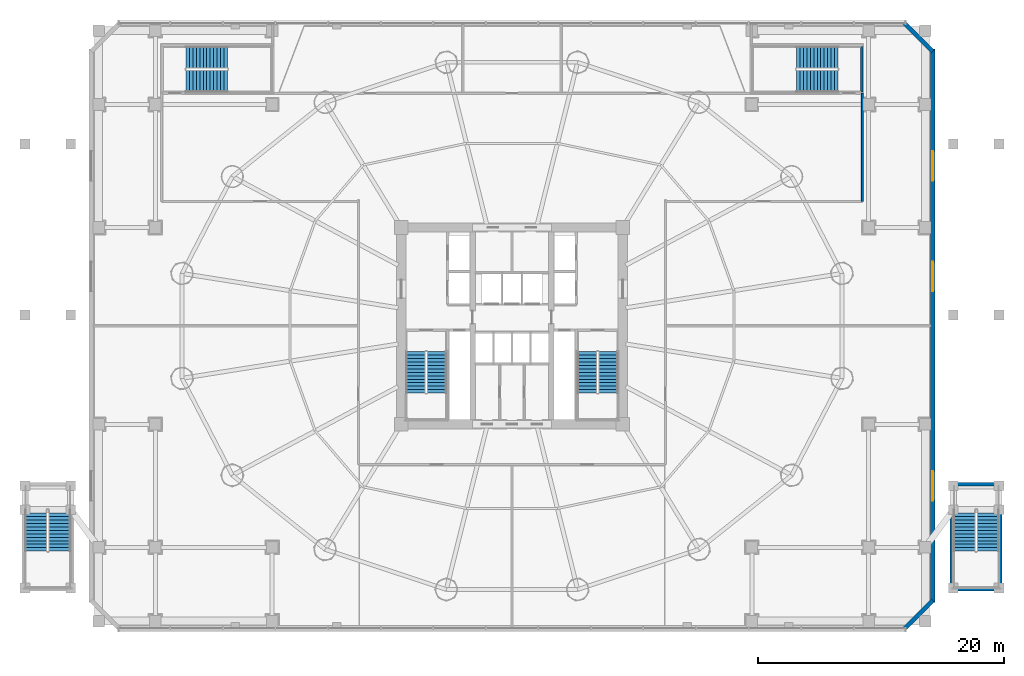
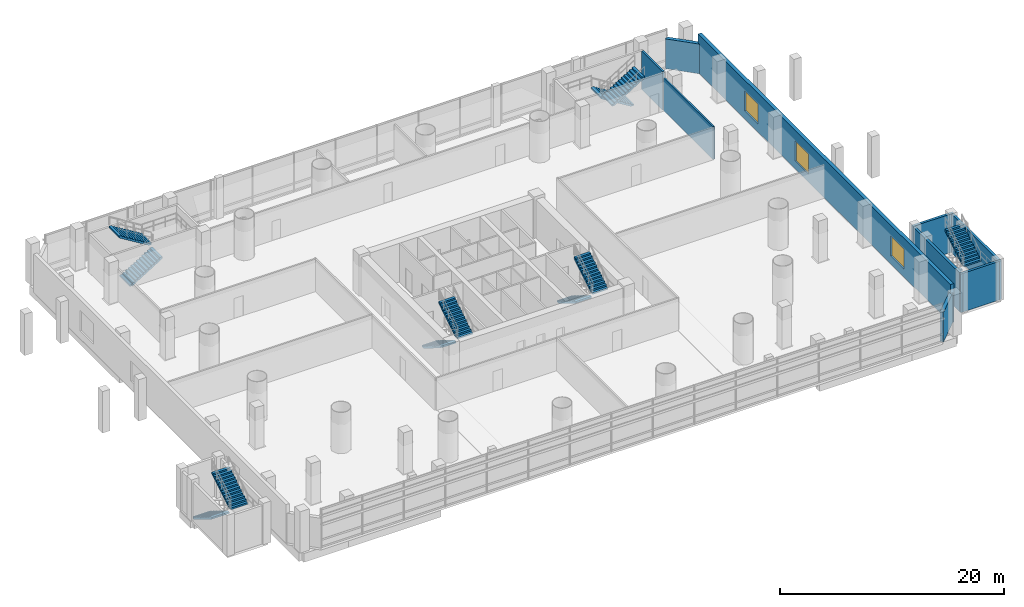
# One storey, part 24 of 36: 12 stair flights, 9 walls, 3 windows, 3 openings, 6 elements without a shape of their own.
"""IFC4 building model written with IfcOpenShell, lengths in metres."""

from ifc_helpers import new_model, si_unit, direction, frame, frame_2d, origin, place, context, subcontext, project, spatial, polyline, rectangle, outline, extrude, source, transform, mapped, material, layer, layer_set, type_object, element, fill, aggregate, save


model = new_model("IFC4")

# Units and contexts
model_context = context("Model", 3, precision=1e-05, world=origin(), true_north=direction((-0.2419218956, 0.970295726276)))
body_context = subcontext(model_context, "Body", "Model", "MODEL_VIEW")
ifc_project = project(units=[si_unit("LENGTHUNIT", "METRE"), si_unit("AREAUNIT", "SQUARE_METRE"), si_unit("VOLUMEUNIT", "CUBIC_METRE"), si_unit("PLANEANGLEUNIT", "RADIAN"), si_unit("MASSUNIT", "GRAM", prefix="KILO")], contexts=[model_context])

# Site, building, storey
site_placement = place(None, origin())
site = spatial("IfcSite", under=ifc_project, at=site_placement, CompositionType="ELEMENT")
building_placement = place(site_placement, origin())
building = spatial("IfcBuilding", under=site, at=building_placement, Name="Cobrevalo Terracotta Tower", CompositionType="ELEMENT")
storey_placement = place(building_placement, frame((0.0, 0.0, 9.89990234375)))
storey = spatial("IfcBuildingStorey", under=building, at=storey_placement, Name="L02", CompositionType="ELEMENT", Elevation=9.89990234375)

# Wall, openings, windows
ifc_material_1 = material(Name="Concrete C45", Category="concrete")
ifc_layer_1 = layer(ifc_material_1, 0.35009765625)
ifc_layer_set_1 = layer_set([ifc_layer_1], Name="Concrete C45")
wall_type_1 = type_object("IfcWallType", Name="Board-marked precast architectural concrete facade wall 350 mm", PredefinedType="SOLIDWALL", material=ifc_layer_set_1)
wall_1_placement = place(storey_placement, frame((72.199951171875, 4.300048828125, 0.0), z_axis=(0.0, 0.0, 1.0), x_axis=(0.0, 1.0, 0.0)))
wall_1 = element("IfcWall", 1, at=wall_1_placement, inside=storey, type_object=wall_type_1, Name="L02 east podium facade wall", PredefinedType="SOLIDWALL", context=body_context, shape_type="SweptSolid", body=[
    extrude(rectangle(XDim=45.0, YDim=0.35009765625, at=frame_2d((22.5, 0.0))), origin(), (0.0, 0.0, 1.0), 4.2001953125),
])
opening_1_placement = place(wall_1_placement, frame((8.300048828125, 0.0, 0.85009765625)))
opening_1 = element("IfcOpeningElement", 2, at=opening_1_placement, cuts=wall_1, Name="Opening WN-09", PredefinedType="OPENING", context=body_context, shape_type="SweptSolid", body=[
    extrude(rectangle(XDim=2.39990234375, YDim=2.199951171875, at=frame_2d((1.199951171875, 1.10009765625))), frame((0.0, 0.18505859375, 0.0), z_axis=(0.0, -1.0, 0.0), x_axis=(1.0, 0.0, 0.0)), (0.0, 0.0, 1.0), 0.3701171875),
])
opening_2_placement = place(wall_1_placement, frame((25.300048828125, 0.0, 0.85009765625)))
opening_2 = element("IfcOpeningElement", 3, at=opening_2_placement, cuts=wall_1, Name="Opening WN-09", PredefinedType="OPENING", context=body_context, shape_type="SweptSolid", body=[
    extrude(rectangle(XDim=2.39990234375, YDim=2.199951171875, at=frame_2d((1.199951171875, 1.10009765625))), frame((0.0, 0.18505859375, 0.0), z_axis=(0.0, -1.0, 0.0), x_axis=(1.0, 0.0, 0.0)), (0.0, 0.0, 1.0), 0.3701171875),
])
opening_3_placement = place(wall_1_placement, frame((34.300048828125, 0.0, 0.85009765625)))
opening_3 = element("IfcOpeningElement", 4, at=opening_3_placement, cuts=wall_1, Name="Opening WN-09", PredefinedType="OPENING", context=body_context, shape_type="SweptSolid", body=[
    extrude(rectangle(XDim=2.39990234375, YDim=2.199951171875, at=frame_2d((1.199951171875, 1.10009765625))), frame((0.0, 0.18505859375, 0.0), z_axis=(0.0, -1.0, 0.0), x_axis=(1.0, 0.0, 0.0)), (0.0, 0.0, 1.0), 0.3701171875),
])
ifc_material_2 = material(Name="Solar-control low-E double glazing", Category="glass")
window_type = type_object("IfcWindowType", Name="Podium upper gallery bronze-anodized window 2400x2200", PartitioningType="SINGLE_PANEL", PredefinedType="WINDOW", material=ifc_material_2)
shared_shape = source(origin(), body_context, "Body", "SweptSolid", [
    extrude(rectangle(XDim=2.39990234375, YDim=2.199951171875, at=frame_2d((1.199951171875, 1.10009765625))), frame((0.0, 0.030029296875, 0.0), z_axis=(0.0, -1.0, 0.0), x_axis=(1.0, 0.0, 0.0)), (0.0, 0.0, 1.0), 0.06005859375),
])
window_1_placement = place(opening_1_placement, origin())
window_1 = element("IfcWindow", 5, at=window_1_placement, inside=storey, type_object=window_type, Name="L02 east gallery window 1", OverallHeight=2.199951171875, OverallWidth=2.39990234375, PartitioningType="SINGLE_PANEL", PredefinedType="WINDOW", context=body_context, shape_type="MappedRepresentation", body=[
    mapped(shared_shape, transform((0.0, 0.0, 0.0), scale=1.0)),
])
fill(opening_1, window_1)
window_2_placement = place(opening_2_placement, origin())
window_2 = element("IfcWindow", 6, at=window_2_placement, inside=storey, type_object=window_type, Name="L02 east gallery window 2", OverallHeight=2.199951171875, OverallWidth=2.39990234375, PartitioningType="SINGLE_PANEL", PredefinedType="WINDOW", context=body_context, shape_type="MappedRepresentation", body=[
    mapped(shared_shape, transform((0.0, 0.0, 0.0), scale=1.0)),
])
fill(opening_2, window_2)
window_3_placement = place(opening_3_placement, origin())
window_3 = element("IfcWindow", 7, at=window_3_placement, inside=storey, type_object=window_type, Name="L02 east gallery window 3", OverallHeight=2.199951171875, OverallWidth=2.39990234375, PartitioningType="SINGLE_PANEL", PredefinedType="WINDOW", context=body_context, shape_type="MappedRepresentation", body=[
    mapped(shared_shape, transform((0.0, 0.0, 0.0), scale=1.0)),
])
fill(opening_3, window_3)

# Walls
for number, where, z_axis, x_axis, name in (
    (8, (69.919921875, 2.199951171875, 0.0), (0.0, 0.0, 1.0), (0.707106781187, 0.707106781187, 0.0), "L02 chamfered corner pier SE"),
    (9, (72.199951171875, 49.1201171875, 0.0), (0.0, 0.0, 1.0), (-0.707144639935, 0.707068920411, 0.0), "L02 chamfered corner pier NE"),
):
    element("IfcWall", number, at=place(storey_placement, frame(where, z_axis=z_axis, x_axis=x_axis)), inside=storey, type_object=wall_type_1, Name=name, PredefinedType="SOLIDWALL", context=body_context, shape_type="SweptSolid", body=[
        extrude(rectangle(XDim=3.224365234375, YDim=0.35009765625, at=frame_2d((1.6123046875, 0.0))), origin(), (0.0, 0.0, 1.0), 3.235107421875),
    ])
ifc_material_3 = material(Name="Concrete C50", Category="concrete")
ifc_layer_2 = layer(ifc_material_3, 0.25)
ifc_layer_set_2 = layer_set([ifc_layer_2], Name="Concrete C50")
wall_type_2 = type_object("IfcWallType", Name="Exterior raised-garden stair shaft RC wall 250 mm Concrete C50", PredefinedType="SOLIDWALL", material=ifc_layer_set_2)
for number, where, z_axis, x_axis, name in (
    (10, (73.7548828125, 5.25, 0.0), (0.0, 0.0, 1.0), (0.0, 1.0, 0.0), "L02 East monumental raised-garden stair structural shaft wall W"),
    (11, (77.72509765625, 5.25, 0.0), (0.0, 0.0, 1.0), (0.0, 1.0, 0.0), "L02 East monumental raised-garden stair structural shaft wall E"),
):
    element("IfcWall", number, at=place(storey_placement, frame(where, z_axis=z_axis, x_axis=x_axis)), inside=storey, type_object=wall_type_2, Name=name, PredefinedType="SOLIDWALL", context=body_context, shape_type="SweptSolid", body=[
        extrude(rectangle(XDim=8.675048828125, YDim=0.25, at=frame_2d((4.33740234375, 0.0))), origin(), (0.0, 0.0, 1.0), 4.2001953125),
    ])
for number, where, z_axis, x_axis, name in (
    (12, (73.6298828125, 5.375, 0.0), (0.0, 0.0, 1.0), (1.0, 0.0, 0.0), "L02 East monumental raised-garden stair structural shaft wall S"),
    (13, (73.6298828125, 13.925048828125, 0.0), (0.0, 0.0, 1.0), (1.0, 0.0, 0.0), "L02 East monumental raised-garden stair structural shaft wall N"),
):
    element("IfcWall", number, at=place(storey_placement, frame(where, z_axis=z_axis, x_axis=x_axis)), inside=storey, type_object=wall_type_2, Name=name, PredefinedType="SOLIDWALL", context=body_context, shape_type="SweptSolid", body=[
        extrude(rectangle(XDim=4.22021484375, YDim=0.25, at=frame_2d((2.110107421875, 0.0))), origin(), (0.0, 0.0, 1.0), 4.2001953125),
    ])
ifc_material_4 = material(Name="Gypsum board on steel stud", Category="steel")
ifc_layer_3 = layer(ifc_material_4, 0.159912109375)
ifc_layer_set_3 = layer_set([ifc_layer_3], Name="Gypsum board on steel stud")
wall_type_3 = type_object("IfcWallType", Name="Fire-rated corridor acoustic partition wall 160 mm", PredefinedType="PARTITIONING", material=ifc_layer_set_3)
wall_2_placement = place(storey_placement, frame((66.47998046875, 36.919921875, 0.0), z_axis=(0.0, 0.0, 1.0), x_axis=(0.0, 1.0, 0.0)))
element("IfcWall", 14, at=wall_2_placement, inside=storey, type_object=wall_type_3, Name="L02 interior partition IW-L02-PC-NE", PredefinedType="PARTITIONING", context=body_context, shape_type="SweptSolid", body=[
    extrude(rectangle(XDim=8.780029296875, YDim=0.159912109375, at=frame_2d((4.39013671875, 0.0))), origin(), (0.0, 0.0, 1.0), 3.569091796875),
])
ifc_layer_4 = layer(ifc_material_3, 0.199951171875)
ifc_layer_set_4 = layer_set([ifc_layer_4], Name="Concrete C50")
wall_type_4 = type_object("IfcWallType", Name="Structural core & podium stair-shaft RC wall 200 mm Concrete C50", PredefinedType="SOLIDWALL", material=ifc_layer_set_4)
wall_3_placement = place(storey_placement, frame((66.449951171875, 45.800048828125, 0.0), z_axis=(0.0, 0.0, 1.0), x_axis=(0.0, 1.0, 0.0)))
element("IfcWall", 15, at=wall_3_placement, inside=storey, type_object=wall_type_4, Name="L02 STP2 east structural shaft wall", PredefinedType="SOLIDWALL", context=body_context, shape_type="SweptSolid", body=[
    extrude(rectangle(XDim=3.719970703125, YDim=0.199951171875, at=frame_2d((1.85986328125, 0.0))), origin(), (0.0, 0.0, 1.0), 4.2001953125),
])

# Stair, stair flights
stair_type_1 = type_object("IfcStairType", Name="Core protected escape dogleg stair 1600", PredefinedType="HALF_TURN_STAIR", material=ifc_material_3)
stair_1_placement = place(storey_placement, origin())
stair_1 = element("IfcStair", 16, at=stair_1_placement, inside=storey, type_object=stair_type_1, Name="L02 Protected exit stair ST-1", PredefinedType="HALF_TURN_STAIR")
stair_flight_type_1 = type_object("IfcStairFlightType", Name="Core protected escape dogleg stair 1600 flight", PredefinedType="STRAIGHT", material=ifc_material_3)
stair_flight_1_placement = place(storey_placement, frame((30.175048828125, 24.699951171875, 0.0), z_axis=(0.0, 0.0, 1.0), x_axis=(0.0, -1.0, 0.0)))
stair_flight_1 = element("IfcStairFlight", 17, at=stair_flight_1_placement, type_object=stair_flight_type_1, Name="ST-1 flight 1", NumberOfRisers=13, NumberOfTreads=12, PredefinedType="STRAIGHT", RiserHeight=0.173076923, TreadLength=0.28, context=body_context, shape_type="SweptSolid", body=[
    extrude(outline(polyline([(0.0, 0.0), (0.0, 0.173095703125), (0.280029296875, 0.173095703125), (0.280029296875, 0.34619140625), (0.56005859375, 0.34619140625), (0.56005859375, 0.519287109375), (0.840087890625, 0.519287109375), (0.840087890625, 0.6923828125), (1.1201171875, 0.6923828125), (1.1201171875, 0.865478515625), (1.39990234375, 0.865478515625), (1.39990234375, 1.03857421875), (1.679931640625, 1.03857421875), (1.679931640625, 1.21142578125), (1.9599609375, 1.21142578125), (1.9599609375, 1.384521484375), (2.239990234375, 1.384521484375), (2.239990234375, 1.5576171875), (2.52001953125, 1.5576171875), (2.52001953125, 1.730712890625), (2.800048828125, 1.730712890625), (2.800048828125, 1.90380859375), (3.080078125, 1.90380859375), (3.080078125, 2.076904296875), (3.360107421875, 2.076904296875), (3.360107421875, 2.25), (3.360107421875, 1.888916015625), (0.30419921875, 0.0), (0.0, 0.0)])), frame((0.0, 0.800048828125, 0.0), z_axis=(0.0, -1.0, 0.0), x_axis=(1.0, 0.0, 0.0)), (0.0, 0.0, 1.0), 1.60009765625),
])
stair_flight_2_placement = place(storey_placement, frame((31.89501953125, 21.340087890625, 2.25), z_axis=(0.0, 0.0, 1.0), x_axis=(0.0, 1.0, 0.0)))
stair_flight_2 = element("IfcStairFlight", 18, at=stair_flight_2_placement, type_object=stair_flight_type_1, Name="ST-1 flight 2", NumberOfRisers=13, NumberOfTreads=12, PredefinedType="STRAIGHT", RiserHeight=0.173076923, TreadLength=0.28, context=body_context, shape_type="SweptSolid", body=[
    extrude(outline(polyline([(0.0, 0.0), (0.0, 0.173095703125), (0.280029296875, 0.173095703125), (0.280029296875, 0.34619140625), (0.56005859375, 0.34619140625), (0.56005859375, 0.519287109375), (0.840087890625, 0.519287109375), (0.840087890625, 0.6923828125), (1.1201171875, 0.6923828125), (1.1201171875, 0.865478515625), (1.39990234375, 0.865478515625), (1.39990234375, 1.03857421875), (1.679931640625, 1.03857421875), (1.679931640625, 1.21142578125), (1.9599609375, 1.21142578125), (1.9599609375, 1.384521484375), (2.239990234375, 1.384521484375), (2.239990234375, 1.5576171875), (2.52001953125, 1.5576171875), (2.52001953125, 1.730712890625), (2.800048828125, 1.730712890625), (2.800048828125, 1.90380859375), (3.080078125, 1.90380859375), (3.080078125, 2.076904296875), (3.360107421875, 2.076904296875), (3.360107421875, 2.25), (3.360107421875, 1.888916015625), (0.30419921875, 0.0), (0.0, 0.0)])), frame((0.0, 0.800048828125, 0.0), z_axis=(0.0, -1.0, 0.0), x_axis=(1.0, 0.0, 0.0)), (0.0, 0.0, 1.0), 1.60009765625),
])
aggregate(stair_1, [stair_flight_1, stair_flight_2])

stair_2_placement = place(storey_placement, origin())
stair_2 = element("IfcStair", 19, at=stair_2_placement, inside=storey, type_object=stair_type_1, Name="L02 Protected exit stair ST-2", PredefinedType="HALF_TURN_STAIR")
stair_flight_3_placement = place(storey_placement, frame((44.10498046875, 24.699951171875, 0.0), z_axis=(0.0, 0.0, 1.0), x_axis=(0.0, -1.0, 0.0)))
stair_flight_3 = element("IfcStairFlight", 20, at=stair_flight_3_placement, type_object=stair_flight_type_1, Name="ST-2 flight 1", NumberOfRisers=13, NumberOfTreads=12, PredefinedType="STRAIGHT", RiserHeight=0.173076923, TreadLength=0.28, context=body_context, shape_type="SweptSolid", body=[
    extrude(outline(polyline([(0.0, 0.0), (0.0, 0.173095703125), (0.280029296875, 0.173095703125), (0.280029296875, 0.34619140625), (0.56005859375, 0.34619140625), (0.56005859375, 0.519287109375), (0.840087890625, 0.519287109375), (0.840087890625, 0.6923828125), (1.1201171875, 0.6923828125), (1.1201171875, 0.865478515625), (1.39990234375, 0.865478515625), (1.39990234375, 1.03857421875), (1.679931640625, 1.03857421875), (1.679931640625, 1.21142578125), (1.9599609375, 1.21142578125), (1.9599609375, 1.384521484375), (2.239990234375, 1.384521484375), (2.239990234375, 1.5576171875), (2.52001953125, 1.5576171875), (2.52001953125, 1.730712890625), (2.800048828125, 1.730712890625), (2.800048828125, 1.90380859375), (3.080078125, 1.90380859375), (3.080078125, 2.076904296875), (3.360107421875, 2.076904296875), (3.360107421875, 2.25), (3.360107421875, 1.888916015625), (0.30419921875, 0.0), (0.0, 0.0)])), frame((0.0, 0.800048828125, 0.0), z_axis=(0.0, -1.0, 0.0), x_axis=(1.0, 0.0, 0.0)), (0.0, 0.0, 1.0), 1.60009765625),
])
stair_flight_4_placement = place(storey_placement, frame((45.824951171875, 21.340087890625, 2.25), z_axis=(0.0, 0.0, 1.0), x_axis=(0.0, 1.0, 0.0)))
stair_flight_4 = element("IfcStairFlight", 21, at=stair_flight_4_placement, type_object=stair_flight_type_1, Name="ST-2 flight 2", NumberOfRisers=13, NumberOfTreads=12, PredefinedType="STRAIGHT", RiserHeight=0.173076923, TreadLength=0.28, context=body_context, shape_type="SweptSolid", body=[
    extrude(outline(polyline([(0.0, 0.0), (0.0, 0.173095703125), (0.280029296875, 0.173095703125), (0.280029296875, 0.34619140625), (0.56005859375, 0.34619140625), (0.56005859375, 0.519287109375), (0.840087890625, 0.519287109375), (0.840087890625, 0.6923828125), (1.1201171875, 0.6923828125), (1.1201171875, 0.865478515625), (1.39990234375, 0.865478515625), (1.39990234375, 1.03857421875), (1.679931640625, 1.03857421875), (1.679931640625, 1.21142578125), (1.9599609375, 1.21142578125), (1.9599609375, 1.384521484375), (2.239990234375, 1.384521484375), (2.239990234375, 1.5576171875), (2.52001953125, 1.5576171875), (2.52001953125, 1.730712890625), (2.800048828125, 1.730712890625), (2.800048828125, 1.90380859375), (3.080078125, 1.90380859375), (3.080078125, 2.076904296875), (3.360107421875, 2.076904296875), (3.360107421875, 2.25), (3.360107421875, 1.888916015625), (0.30419921875, 0.0), (0.0, 0.0)])), frame((0.0, 0.800048828125, 0.0), z_axis=(0.0, -1.0, 0.0), x_axis=(1.0, 0.0, 0.0)), (0.0, 0.0, 1.0), 1.60009765625),
])
aggregate(stair_2, [stair_flight_3, stair_flight_4])

ifc_material_5 = material(Name="Precast concrete C45", Category="concrete")
stair_type_2 = type_object("IfcStairType", Name="Monumental raised-garden dogleg stair 1850", PredefinedType="HALF_TURN_STAIR", material=ifc_material_5)
stair_3_placement = place(storey_placement, origin())
stair_3 = element("IfcStair", 22, at=stair_3_placement, inside=storey, type_object=stair_type_2, Name="L02 West monumental raised-garden stair", PredefinedType="HALF_TURN_STAIR")
stair_flight_type_2 = type_object("IfcStairFlightType", Name="Monumental raised-garden dogleg stair 1850 flight", PredefinedType="STRAIGHT", material=ifc_material_5)
stair_flight_5_placement = place(storey_placement, frame((-0.699951171875, 11.85009765625, 0.0), z_axis=(0.0, 0.0, 1.0), x_axis=(0.0, -1.0, 0.0)))
stair_flight_5 = element("IfcStairFlight", 23, at=stair_flight_5_placement, type_object=stair_flight_type_2, Name="ST-EXT-W flight 1", NumberOfRisers=13, NumberOfTreads=12, PredefinedType="STRAIGHT", RiserHeight=0.173076923, TreadLength=0.28, context=body_context, shape_type="SweptSolid", body=[
    extrude(outline(polyline([(0.0, 0.0), (0.0, 0.173095703125), (0.280029296875, 0.173095703125), (0.280029296875, 0.34619140625), (0.56005859375, 0.34619140625), (0.56005859375, 0.519287109375), (0.840087890625, 0.519287109375), (0.840087890625, 0.6923828125), (1.1201171875, 0.6923828125), (1.1201171875, 0.865478515625), (1.39990234375, 0.865478515625), (1.39990234375, 1.03857421875), (1.679931640625, 1.03857421875), (1.679931640625, 1.21142578125), (1.9599609375, 1.21142578125), (1.9599609375, 1.384521484375), (2.239990234375, 1.384521484375), (2.239990234375, 1.5576171875), (2.52001953125, 1.5576171875), (2.52001953125, 1.730712890625), (2.800048828125, 1.730712890625), (2.800048828125, 1.90380859375), (3.080078125, 1.90380859375), (3.080078125, 2.076904296875), (3.360107421875, 2.076904296875), (3.360107421875, 2.25), (3.360107421875, 1.888916015625), (0.30419921875, 0.0), (0.0, 0.0)])), frame((0.0, 0.89990234375, 0.0), z_axis=(0.0, -1.0, 0.0), x_axis=(1.0, 0.0, 0.0)), (0.0, 0.0, 1.0), 1.800048828125),
])
stair_flight_6_placement = place(storey_placement, frame((1.219970703125, 8.489990234375, 2.25), z_axis=(0.0, 0.0, 1.0), x_axis=(0.0, 1.0, 0.0)))
stair_flight_6 = element("IfcStairFlight", 24, at=stair_flight_6_placement, type_object=stair_flight_type_2, Name="ST-EXT-W flight 2", NumberOfRisers=13, NumberOfTreads=12, PredefinedType="STRAIGHT", RiserHeight=0.173076923, TreadLength=0.28, context=body_context, shape_type="SweptSolid", body=[
    extrude(outline(polyline([(0.0, 0.0), (0.0, 0.173095703125), (0.280029296875, 0.173095703125), (0.280029296875, 0.34619140625), (0.56005859375, 0.34619140625), (0.56005859375, 0.519287109375), (0.840087890625, 0.519287109375), (0.840087890625, 0.6923828125), (1.1201171875, 0.6923828125), (1.1201171875, 0.865478515625), (1.39990234375, 0.865478515625), (1.39990234375, 1.03857421875), (1.679931640625, 1.03857421875), (1.679931640625, 1.21142578125), (1.9599609375, 1.21142578125), (1.9599609375, 1.384521484375), (2.239990234375, 1.384521484375), (2.239990234375, 1.5576171875), (2.52001953125, 1.5576171875), (2.52001953125, 1.730712890625), (2.800048828125, 1.730712890625), (2.800048828125, 1.90380859375), (3.080078125, 1.90380859375), (3.080078125, 2.076904296875), (3.360107421875, 2.076904296875), (3.360107421875, 2.25), (3.360107421875, 1.888916015625), (0.30419921875, 0.0), (0.0, 0.0)])), frame((0.0, 0.89990234375, 0.0), z_axis=(0.0, -1.0, 0.0), x_axis=(1.0, 0.0, 0.0)), (0.0, 0.0, 1.0), 1.800048828125),
])
aggregate(stair_3, [stair_flight_5, stair_flight_6])

stair_4_placement = place(storey_placement, origin())
stair_4 = element("IfcStair", 25, at=stair_4_placement, inside=storey, type_object=stair_type_2, Name="L02 East monumental raised-garden stair", PredefinedType="HALF_TURN_STAIR")
stair_flight_7_placement = place(storey_placement, frame((74.780029296875, 11.85009765625, 0.0), z_axis=(0.0, 0.0, 1.0), x_axis=(0.0, -1.0, 0.0)))
stair_flight_7 = element("IfcStairFlight", 26, at=stair_flight_7_placement, type_object=stair_flight_type_2, Name="ST-EXT-E flight 1", NumberOfRisers=13, NumberOfTreads=12, PredefinedType="STRAIGHT", RiserHeight=0.173076923, TreadLength=0.28, context=body_context, shape_type="SweptSolid", body=[
    extrude(outline(polyline([(0.0, 0.0), (0.0, 0.173095703125), (0.280029296875, 0.173095703125), (0.280029296875, 0.34619140625), (0.56005859375, 0.34619140625), (0.56005859375, 0.519287109375), (0.840087890625, 0.519287109375), (0.840087890625, 0.6923828125), (1.1201171875, 0.6923828125), (1.1201171875, 0.865478515625), (1.39990234375, 0.865478515625), (1.39990234375, 1.03857421875), (1.679931640625, 1.03857421875), (1.679931640625, 1.21142578125), (1.9599609375, 1.21142578125), (1.9599609375, 1.384521484375), (2.239990234375, 1.384521484375), (2.239990234375, 1.5576171875), (2.52001953125, 1.5576171875), (2.52001953125, 1.730712890625), (2.800048828125, 1.730712890625), (2.800048828125, 1.90380859375), (3.080078125, 1.90380859375), (3.080078125, 2.076904296875), (3.360107421875, 2.076904296875), (3.360107421875, 2.25), (3.360107421875, 1.888916015625), (0.30419921875, 0.0), (0.0, 0.0)])), frame((0.0, 0.89990234375, 0.0), z_axis=(0.0, -1.0, 0.0), x_axis=(1.0, 0.0, 0.0)), (0.0, 0.0, 1.0), 1.800048828125),
])
stair_flight_8_placement = place(storey_placement, frame((76.699951171875, 8.489990234375, 2.25), z_axis=(0.0, 0.0, 1.0), x_axis=(0.0, 1.0, 0.0)))
stair_flight_8 = element("IfcStairFlight", 27, at=stair_flight_8_placement, type_object=stair_flight_type_2, Name="ST-EXT-E flight 2", NumberOfRisers=13, NumberOfTreads=12, PredefinedType="STRAIGHT", RiserHeight=0.173076923, TreadLength=0.28, context=body_context, shape_type="SweptSolid", body=[
    extrude(outline(polyline([(0.0, 0.0), (0.0, 0.173095703125), (0.280029296875, 0.173095703125), (0.280029296875, 0.34619140625), (0.56005859375, 0.34619140625), (0.56005859375, 0.519287109375), (0.840087890625, 0.519287109375), (0.840087890625, 0.6923828125), (1.1201171875, 0.6923828125), (1.1201171875, 0.865478515625), (1.39990234375, 0.865478515625), (1.39990234375, 1.03857421875), (1.679931640625, 1.03857421875), (1.679931640625, 1.21142578125), (1.9599609375, 1.21142578125), (1.9599609375, 1.384521484375), (2.239990234375, 1.384521484375), (2.239990234375, 1.5576171875), (2.52001953125, 1.5576171875), (2.52001953125, 1.730712890625), (2.800048828125, 1.730712890625), (2.800048828125, 1.90380859375), (3.080078125, 1.90380859375), (3.080078125, 2.076904296875), (3.360107421875, 2.076904296875), (3.360107421875, 2.25), (3.360107421875, 1.888916015625), (0.30419921875, 0.0), (0.0, 0.0)])), frame((0.0, 0.89990234375, 0.0), z_axis=(0.0, -1.0, 0.0), x_axis=(1.0, 0.0, 0.0)), (0.0, 0.0, 1.0), 1.800048828125),
])
aggregate(stair_4, [stair_flight_7, stair_flight_8])

stair_type_3 = type_object("IfcStairType", Name="Podium concourse escape dogleg stair 1800", PredefinedType="HALF_TURN_STAIR", material=ifc_material_3)
stair_5_placement = place(storey_placement, origin())
stair_5 = element("IfcStair", 28, at=stair_5_placement, inside=storey, type_object=stair_type_3, Name="L02 Protected exit stair ST-P1", PredefinedType="HALF_TURN_STAIR")
stair_flight_type_3 = type_object("IfcStairFlightType", Name="Podium concourse escape dogleg stair 1800 flight", PredefinedType="STRAIGHT", material=ifc_material_3)
stair_flight_9_placement = place(storey_placement, frame((11.5, 46.699951171875, 0.0), z_axis=(0.0, 0.0, 1.0), x_axis=(1.0, 0.0, 0.0)))
stair_flight_9 = element("IfcStairFlight", 29, at=stair_flight_9_placement, type_object=stair_flight_type_3, Name="ST-P1 flight 1", NumberOfRisers=13, NumberOfTreads=12, PredefinedType="STRAIGHT", RiserHeight=0.173076923, TreadLength=0.28, context=body_context, shape_type="SweptSolid", body=[
    extrude(outline(polyline([(0.0, 0.0), (0.0, 0.173095703125), (0.280029296875, 0.173095703125), (0.280029296875, 0.34619140625), (0.56005859375, 0.34619140625), (0.56005859375, 0.519287109375), (0.840087890625, 0.519287109375), (0.840087890625, 0.6923828125), (1.1201171875, 0.6923828125), (1.1201171875, 0.865478515625), (1.39990234375, 0.865478515625), (1.39990234375, 1.03857421875), (1.679931640625, 1.03857421875), (1.679931640625, 1.21142578125), (1.9599609375, 1.21142578125), (1.9599609375, 1.384521484375), (2.239990234375, 1.384521484375), (2.239990234375, 1.5576171875), (2.52001953125, 1.5576171875), (2.52001953125, 1.730712890625), (2.800048828125, 1.730712890625), (2.800048828125, 1.90380859375), (3.080078125, 1.90380859375), (3.080078125, 2.076904296875), (3.360107421875, 2.076904296875), (3.360107421875, 2.25), (3.360107421875, 1.888916015625), (0.30419921875, 0.0), (0.0, 0.0)])), frame((0.0, 0.89990234375, 0.0), z_axis=(0.0, -1.0, 0.0), x_axis=(1.0, 0.0, 0.0)), (0.0, 0.0, 1.0), 1.800048828125),
])
stair_flight_10_placement = place(storey_placement, frame((14.860107421875, 48.6201171875, 2.25), z_axis=(0.0, 0.0, 1.0), x_axis=(-1.0, 0.0, 0.0)))
stair_flight_10 = element("IfcStairFlight", 30, at=stair_flight_10_placement, type_object=stair_flight_type_3, Name="ST-P1 flight 2", NumberOfRisers=13, NumberOfTreads=12, PredefinedType="STRAIGHT", RiserHeight=0.173076923, TreadLength=0.28, context=body_context, shape_type="SweptSolid", body=[
    extrude(outline(polyline([(0.0, 0.0), (0.0, 0.173095703125), (0.280029296875, 0.173095703125), (0.280029296875, 0.34619140625), (0.56005859375, 0.34619140625), (0.56005859375, 0.519287109375), (0.840087890625, 0.519287109375), (0.840087890625, 0.6923828125), (1.1201171875, 0.6923828125), (1.1201171875, 0.865478515625), (1.39990234375, 0.865478515625), (1.39990234375, 1.03857421875), (1.679931640625, 1.03857421875), (1.679931640625, 1.21142578125), (1.9599609375, 1.21142578125), (1.9599609375, 1.384521484375), (2.239990234375, 1.384521484375), (2.239990234375, 1.5576171875), (2.52001953125, 1.5576171875), (2.52001953125, 1.730712890625), (2.800048828125, 1.730712890625), (2.800048828125, 1.90380859375), (3.080078125, 1.90380859375), (3.080078125, 2.076904296875), (3.360107421875, 2.076904296875), (3.360107421875, 2.25), (3.360107421875, 1.888916015625), (0.30419921875, 0.0), (0.0, 0.0)])), frame((0.0, 0.89990234375, 0.0), z_axis=(0.0, -1.0, 0.0), x_axis=(1.0, 0.0, 0.0)), (0.0, 0.0, 1.0), 1.800048828125),
])
aggregate(stair_5, [stair_flight_9, stair_flight_10])

stair_6_placement = place(storey_placement, origin())
stair_6 = element("IfcStair", 31, at=stair_6_placement, inside=storey, type_object=stair_type_3, Name="L02 Protected exit stair ST-P2", PredefinedType="HALF_TURN_STAIR")
stair_flight_11_placement = place(storey_placement, frame((64.5, 48.6201171875, 0.0), z_axis=(0.0, 0.0, 1.0), x_axis=(-1.0, 0.0, 0.0)))
stair_flight_11 = element("IfcStairFlight", 32, at=stair_flight_11_placement, type_object=stair_flight_type_3, Name="ST-P2 flight 1", NumberOfRisers=13, NumberOfTreads=12, PredefinedType="STRAIGHT", RiserHeight=0.173076923, TreadLength=0.28, context=body_context, shape_type="SweptSolid", body=[
    extrude(outline(polyline([(0.0, 0.0), (0.0, 0.173095703125), (0.280029296875, 0.173095703125), (0.280029296875, 0.34619140625), (0.56005859375, 0.34619140625), (0.56005859375, 0.519287109375), (0.840087890625, 0.519287109375), (0.840087890625, 0.6923828125), (1.1201171875, 0.6923828125), (1.1201171875, 0.865478515625), (1.39990234375, 0.865478515625), (1.39990234375, 1.03857421875), (1.679931640625, 1.03857421875), (1.679931640625, 1.21142578125), (1.9599609375, 1.21142578125), (1.9599609375, 1.384521484375), (2.239990234375, 1.384521484375), (2.239990234375, 1.5576171875), (2.52001953125, 1.5576171875), (2.52001953125, 1.730712890625), (2.800048828125, 1.730712890625), (2.800048828125, 1.90380859375), (3.080078125, 1.90380859375), (3.080078125, 2.076904296875), (3.360107421875, 2.076904296875), (3.360107421875, 2.25), (3.360107421875, 1.888916015625), (0.30419921875, 0.0), (0.0, 0.0)])), frame((0.0, 0.89990234375, 0.0), z_axis=(0.0, -1.0, 0.0), x_axis=(1.0, 0.0, 0.0)), (0.0, 0.0, 1.0), 1.800048828125),
])
stair_flight_12_placement = place(storey_placement, frame((61.139892578125, 46.699951171875, 2.25), z_axis=(0.0, 0.0, 1.0), x_axis=(1.0, 0.0, 0.0)))
stair_flight_12 = element("IfcStairFlight", 33, at=stair_flight_12_placement, type_object=stair_flight_type_3, Name="ST-P2 flight 2", NumberOfRisers=13, NumberOfTreads=12, PredefinedType="STRAIGHT", RiserHeight=0.173076923, TreadLength=0.28, context=body_context, shape_type="SweptSolid", body=[
    extrude(outline(polyline([(0.0, 0.0), (0.0, 0.173095703125), (0.280029296875, 0.173095703125), (0.280029296875, 0.34619140625), (0.56005859375, 0.34619140625), (0.56005859375, 0.519287109375), (0.840087890625, 0.519287109375), (0.840087890625, 0.6923828125), (1.1201171875, 0.6923828125), (1.1201171875, 0.865478515625), (1.39990234375, 0.865478515625), (1.39990234375, 1.03857421875), (1.679931640625, 1.03857421875), (1.679931640625, 1.21142578125), (1.9599609375, 1.21142578125), (1.9599609375, 1.384521484375), (2.239990234375, 1.384521484375), (2.239990234375, 1.5576171875), (2.52001953125, 1.5576171875), (2.52001953125, 1.730712890625), (2.800048828125, 1.730712890625), (2.800048828125, 1.90380859375), (3.080078125, 1.90380859375), (3.080078125, 2.076904296875), (3.360107421875, 2.076904296875), (3.360107421875, 2.25), (3.360107421875, 1.888916015625), (0.30419921875, 0.0), (0.0, 0.0)])), frame((0.0, 0.89990234375, 0.0), z_axis=(0.0, -1.0, 0.0), x_axis=(1.0, 0.0, 0.0)), (0.0, 0.0, 1.0), 1.800048828125),
])
aggregate(stair_6, [stair_flight_11, stair_flight_12])

save(model, "model.ifc")
